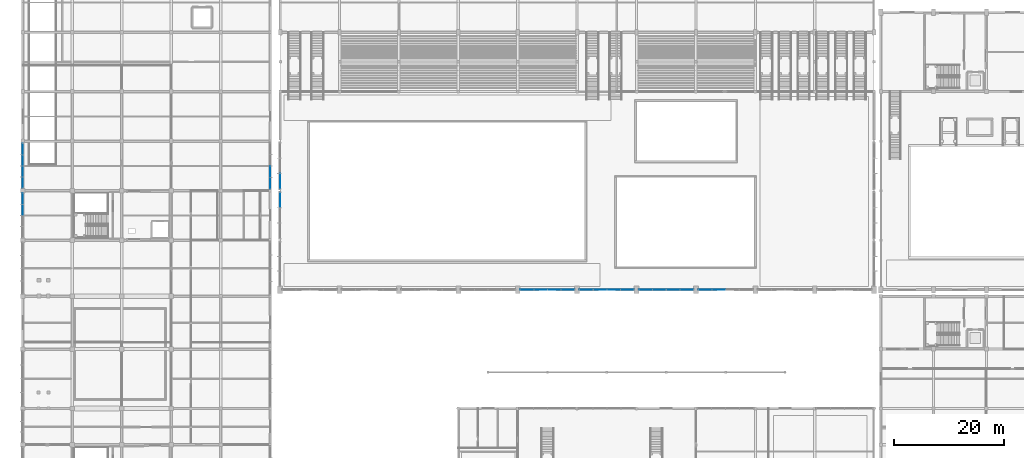
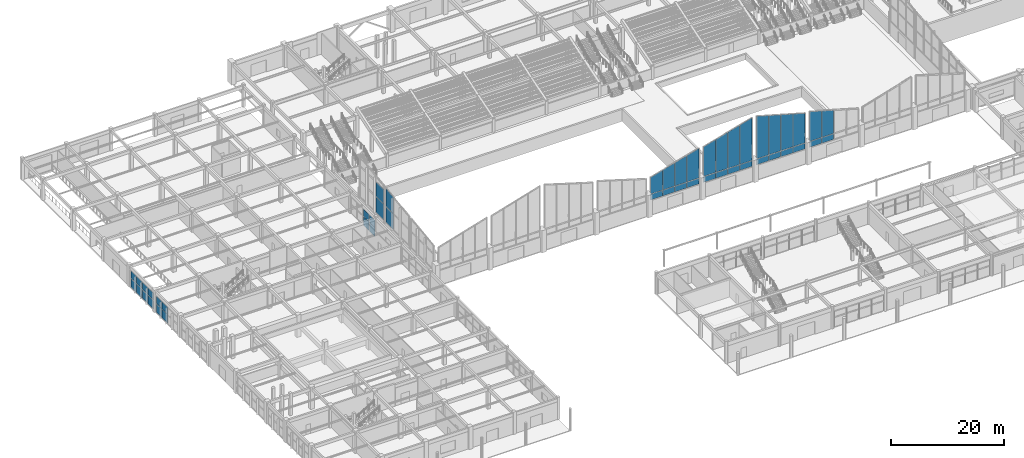
# One storey, part 42 of 82: 48 plates, 9 elements without a shape of their own.
"""IFC4 building model written with IfcOpenShell, lengths in metres."""

from ifc_helpers import new_model, si_unit, direction, frame, origin, place, context, subcontext, project, spatial, polyline, outline, extrude, material, layer, layer_set, type_object, element, aggregate, save


model = new_model("IFC4")

# Units and contexts
model_context = context("Model", 3, precision=1e-05, world=origin(), true_north=direction((0.0, 1.0)))
body_context = subcontext(model_context, "Body", "Model", "MODEL_VIEW")
ifc_project = project(units=[si_unit("LENGTHUNIT", "METRE"), si_unit("AREAUNIT", "SQUARE_METRE"), si_unit("VOLUMEUNIT", "CUBIC_METRE"), si_unit("PLANEANGLEUNIT", "RADIAN"), si_unit("MASSUNIT", "GRAM", prefix="KILO")], contexts=[model_context])

# Site, building, storey
site_placement = place(None, origin())
site = spatial("IfcSite", under=ifc_project, at=site_placement, CompositionType="ELEMENT")
building_placement = place(site_placement, origin())
building = spatial("IfcBuilding", under=site, at=building_placement, Name="Suirenkawa Promenade Aquatics Centre", CompositionType="ELEMENT")
storey_placement = place(building_placement, origin())
storey = spatial("IfcBuildingStorey", under=building, at=storey_placement, Name="L00", CompositionType="ELEMENT", Elevation=0.0)

# Curtain wall, plates
ifc_material_1 = material(Name="Anodised aluminium 6063-T6", Category="aluminium")
curtain_wall_type_1 = type_object("IfcCurtainWallType", Name="CWAT-CLERS-12", PredefinedType="NOTDEFINED", material=ifc_material_1)
curtain_wall_1_placement = place(storey_placement, origin())
curtain_wall_1 = element("IfcCurtainWall", 1, at=curtain_wall_1_placement, inside=storey, type_object=curtain_wall_type_1, Name="Curtain wall CWA-12 CW-019", PredefinedType="NOTDEFINED")
ifc_material_2 = material(Name="Ceramic-fritted low-SHGC double glazing", Category="glass")
ifc_layer_1 = layer(ifc_material_2, 0.031982421875, Name="Ceramic-fritted low-SHGC double glazing", Category="glass")
ifc_layer_set_1 = layer_set([ifc_layer_1], Name="Ceramic-fritted low-SHGC double glazing")
plate_type_1 = type_object("IfcPlateType", Name="CWP-CLER-32", PredefinedType="CURTAIN_PANEL", material=ifc_layer_set_1)
plate_1_placement = place(storey_placement, frame((100.35107421875, 50.39990234375, 3.139892578125), z_axis=(0.0, 0.0, 1.0), x_axis=(-1.0, 0.0, 0.0)))
plate_1 = element("IfcPlate", 2, at=plate_1_placement, type_object=plate_type_1, Name="Glazed panel CP-03 CWP-00416", PredefinedType="CURTAIN_PANEL", context=body_context, shape_type="SweptSolid", body=[
    extrude(outline(polyline([(0.0400390625, 0.0), (2.435546875, 0.0), (2.435546875, 1.22021484375), (0.0400390625, 1.22021484375), (0.0400390625, 0.0)])), frame((0.0, 0.01611328125, 0.0), z_axis=(0.0, -1.0, 0.0), x_axis=(1.0, 0.0, 0.0)), (0.0, 0.0, 1.0), 0.031982421875),
])
plate_2_placement = place(storey_placement, frame((100.35107421875, 50.39990234375, 4.43994140625), z_axis=(0.0, 0.0, 1.0), x_axis=(-1.0, 0.0, 0.0)))
plate_2 = element("IfcPlate", 3, at=plate_2_placement, type_object=plate_type_1, Name="Top glazed panel CP-03 CWP-00417", PredefinedType="CURTAIN_PANEL", context=body_context, shape_type="SweptSolid", body=[
    extrude(outline(polyline([(0.0400390625, 0.0), (2.435546875, 0.0), (2.435546875, 5.670166015625), (0.0400390625, 6.3701171875), (0.0400390625, 0.0)])), frame((0.0, 0.01611328125, 0.0), z_axis=(0.0, -1.0, 0.0), x_axis=(1.0, 0.0, 0.0)), (0.0, 0.0, 1.0), 0.031982421875),
])
plate_3_placement = place(storey_placement, frame((97.87548828125, 50.39990234375, 3.139892578125), z_axis=(0.0, 0.0, 1.0), x_axis=(-1.0, 0.0, 0.0)))
plate_3 = element("IfcPlate", 4, at=plate_3_placement, type_object=plate_type_1, Name="Glazed panel CP-03 CWP-00418", PredefinedType="CURTAIN_PANEL", context=body_context, shape_type="SweptSolid", body=[
    extrude(outline(polyline([(0.0400390625, 0.0), (2.435546875, 0.0), (2.435546875, 1.22021484375), (0.0400390625, 1.22021484375), (0.0400390625, 0.0)])), frame((0.0, 0.01611328125, 0.0), z_axis=(0.0, -1.0, 0.0), x_axis=(1.0, 0.0, 0.0)), (0.0, 0.0, 1.0), 0.031982421875),
])
plate_4_placement = place(storey_placement, frame((97.87548828125, 50.39990234375, 4.43994140625), z_axis=(0.0, 0.0, 1.0), x_axis=(-1.0, 0.0, 0.0)))
plate_4 = element("IfcPlate", 5, at=plate_4_placement, type_object=plate_type_1, Name="Top glazed panel CP-03 CWP-00419", PredefinedType="CURTAIN_PANEL", context=body_context, shape_type="SweptSolid", body=[
    extrude(outline(polyline([(0.0400390625, 0.0), (2.435546875, 0.0), (2.435546875, 4.969970703125), (0.0400390625, 5.670166015625), (0.0400390625, 0.0)])), frame((0.0, 0.01611328125, 0.0), z_axis=(0.0, -1.0, 0.0), x_axis=(1.0, 0.0, 0.0)), (0.0, 0.0, 1.0), 0.031982421875),
])
plate_5_placement = place(storey_placement, frame((95.39990234375, 50.39990234375, 3.139892578125), z_axis=(0.0, 0.0, 1.0), x_axis=(-1.0, 0.0, 0.0)))
plate_5 = element("IfcPlate", 6, at=plate_5_placement, type_object=plate_type_1, Name="Glazed panel CP-03 CWP-00420", PredefinedType="CURTAIN_PANEL", context=body_context, shape_type="SweptSolid", body=[
    extrude(outline(polyline([(0.0400390625, 0.0), (2.435546875, 0.0), (2.435546875, 1.22021484375), (0.0400390625, 1.22021484375), (0.0400390625, 0.0)])), frame((0.0, 0.01611328125, 0.0), z_axis=(0.0, -1.0, 0.0), x_axis=(1.0, 0.0, 0.0)), (0.0, 0.0, 1.0), 0.031982421875),
])
plate_6_placement = place(storey_placement, frame((95.39990234375, 50.39990234375, 4.43994140625), z_axis=(0.0, 0.0, 1.0), x_axis=(-1.0, 0.0, 0.0)))
plate_6 = element("IfcPlate", 7, at=plate_6_placement, type_object=plate_type_1, Name="Top glazed panel CP-03 CWP-00421", PredefinedType="CURTAIN_PANEL", context=body_context, shape_type="SweptSolid", body=[
    extrude(outline(polyline([(0.0400390625, 0.0), (2.435546875, 0.0), (2.435546875, 4.27001953125), (0.0400390625, 4.969970703125), (0.0400390625, 0.0)])), frame((0.0, 0.01611328125, 0.0), z_axis=(0.0, -1.0, 0.0), x_axis=(1.0, 0.0, 0.0)), (0.0, 0.0, 1.0), 0.031982421875),
])
plate_7_placement = place(storey_placement, frame((92.924560546875, 50.39990234375, 3.139892578125), z_axis=(0.0, 0.0, 1.0), x_axis=(-1.0, 0.0, 0.0)))
plate_7 = element("IfcPlate", 8, at=plate_7_placement, type_object=plate_type_1, Name="Glazed panel CP-03 CWP-00422", PredefinedType="CURTAIN_PANEL", context=body_context, shape_type="SweptSolid", body=[
    extrude(outline(polyline([(0.0400390625, 0.0), (2.435546875, 0.0), (2.435546875, 1.22021484375), (0.0400390625, 1.22021484375), (0.0400390625, 0.0)])), frame((0.0, 0.01611328125, 0.0), z_axis=(0.0, -1.0, 0.0), x_axis=(1.0, 0.0, 0.0)), (0.0, 0.0, 1.0), 0.031982421875),
])
plate_8_placement = place(storey_placement, frame((92.924560546875, 50.39990234375, 4.43994140625), z_axis=(0.0, 0.0, 1.0), x_axis=(-1.0, 0.0, 0.0)))
plate_8 = element("IfcPlate", 9, at=plate_8_placement, type_object=plate_type_1, Name="Top glazed panel CP-03 CWP-00423", PredefinedType="CURTAIN_PANEL", context=body_context, shape_type="SweptSolid", body=[
    extrude(outline(polyline([(0.0400390625, 0.0), (2.435546875, 0.0), (2.435546875, 3.570068359375), (0.0400390625, 4.27001953125), (0.0400390625, 0.0)])), frame((0.0, 0.01611328125, 0.0), z_axis=(0.0, -1.0, 0.0), x_axis=(1.0, 0.0, 0.0)), (0.0, 0.0, 1.0), 0.031982421875),
])
aggregate(curtain_wall_1, [plate_1, plate_2, plate_3, plate_4, plate_5, plate_6, plate_7, plate_8])

curtain_wall_type_2 = type_object("IfcCurtainWallType", Name="CWAT-CLERS-14", PredefinedType="NOTDEFINED", material=ifc_material_1)
curtain_wall_2_placement = place(storey_placement, origin())
curtain_wall_2 = element("IfcCurtainWall", 10, at=curtain_wall_2_placement, inside=storey, type_object=curtain_wall_type_2, Name="Curtain wall CWA-14 CW-022", PredefinedType="NOTDEFINED")
plate_9_placement = place(storey_placement, frame((111.15087890625, 50.39990234375, 3.139892578125), z_axis=(0.0, 0.0, 1.0), x_axis=(-1.0, 0.0, 0.0)))
plate_9 = element("IfcPlate", 11, at=plate_9_placement, type_object=plate_type_1, Name="Glazed panel CP-03 CWP-00476", PredefinedType="CURTAIN_PANEL", context=body_context, shape_type="SweptSolid", body=[
    extrude(outline(polyline([(0.0400390625, 0.0), (2.435546875, 0.0), (2.435546875, 1.22021484375), (0.0400390625, 1.22021484375), (0.0400390625, 0.0)])), frame((0.0, 0.01611328125, 0.0), z_axis=(0.0, -1.0, 0.0), x_axis=(1.0, 0.0, 0.0)), (0.0, 0.0, 1.0), 0.031982421875),
])
plate_10_placement = place(storey_placement, frame((111.15087890625, 50.39990234375, 4.43994140625), z_axis=(0.0, 0.0, 1.0), x_axis=(-1.0, 0.0, 0.0)))
plate_10 = element("IfcPlate", 12, at=plate_10_placement, type_object=plate_type_1, Name="Top glazed panel CP-03 CWP-00477", PredefinedType="CURTAIN_PANEL", context=body_context, shape_type="SweptSolid", body=[
    extrude(outline(polyline([(0.0400390625, 0.0), (2.435546875, 0.0), (2.435546875, 8.469970703125), (0.0400390625, 9.170166015625), (0.0400390625, 0.0)])), frame((0.0, 0.01611328125, 0.0), z_axis=(0.0, -1.0, 0.0), x_axis=(1.0, 0.0, 0.0)), (0.0, 0.0, 1.0), 0.031982421875),
])
plate_11_placement = place(storey_placement, frame((108.675537109375, 50.39990234375, 3.139892578125), z_axis=(0.0, 0.0, 1.0), x_axis=(-1.0, 0.0, 0.0)))
plate_11 = element("IfcPlate", 13, at=plate_11_placement, type_object=plate_type_1, Name="Glazed panel CP-03 CWP-00478", PredefinedType="CURTAIN_PANEL", context=body_context, shape_type="SweptSolid", body=[
    extrude(outline(polyline([(0.0400390625, 0.0), (2.435546875, 0.0), (2.435546875, 1.22021484375), (0.0400390625, 1.22021484375), (0.0400390625, 0.0)])), frame((0.0, 0.01611328125, 0.0), z_axis=(0.0, -1.0, 0.0), x_axis=(1.0, 0.0, 0.0)), (0.0, 0.0, 1.0), 0.031982421875),
])
plate_12_placement = place(storey_placement, frame((108.675537109375, 50.39990234375, 4.43994140625), z_axis=(0.0, 0.0, 1.0), x_axis=(-1.0, 0.0, 0.0)))
plate_12 = element("IfcPlate", 14, at=plate_12_placement, type_object=plate_type_1, Name="Top glazed panel CP-03 CWP-00479", PredefinedType="CURTAIN_PANEL", context=body_context, shape_type="SweptSolid", body=[
    extrude(outline(polyline([(0.0400390625, 0.0), (2.435546875, 0.0), (2.435546875, 7.77001953125), (0.0400390625, 8.469970703125), (0.0400390625, 0.0)])), frame((0.0, 0.01611328125, 0.0), z_axis=(0.0, -1.0, 0.0), x_axis=(1.0, 0.0, 0.0)), (0.0, 0.0, 1.0), 0.031982421875),
])
plate_13_placement = place(storey_placement, frame((106.199951171875, 50.39990234375, 3.139892578125), z_axis=(0.0, 0.0, 1.0), x_axis=(-1.0, 0.0, 0.0)))
plate_13 = element("IfcPlate", 15, at=plate_13_placement, type_object=plate_type_1, Name="Glazed panel CP-03 CWP-00480", PredefinedType="CURTAIN_PANEL", context=body_context, shape_type="SweptSolid", body=[
    extrude(outline(polyline([(0.0400390625, 0.0), (2.435546875, 0.0), (2.435546875, 1.22021484375), (0.0400390625, 1.22021484375), (0.0400390625, 0.0)])), frame((0.0, 0.01611328125, 0.0), z_axis=(0.0, -1.0, 0.0), x_axis=(1.0, 0.0, 0.0)), (0.0, 0.0, 1.0), 0.031982421875),
])
plate_14_placement = place(storey_placement, frame((106.199951171875, 50.39990234375, 4.43994140625), z_axis=(0.0, 0.0, 1.0), x_axis=(-1.0, 0.0, 0.0)))
plate_14 = element("IfcPlate", 16, at=plate_14_placement, type_object=plate_type_1, Name="Top glazed panel CP-03 CWP-00481", PredefinedType="CURTAIN_PANEL", context=body_context, shape_type="SweptSolid", body=[
    extrude(outline(polyline([(0.0400390625, 0.0), (2.435546875, 0.0), (2.435546875, 7.070068359375), (0.0400390625, 7.77001953125), (0.0400390625, 0.0)])), frame((0.0, 0.01611328125, 0.0), z_axis=(0.0, -1.0, 0.0), x_axis=(1.0, 0.0, 0.0)), (0.0, 0.0, 1.0), 0.031982421875),
])
plate_15_placement = place(storey_placement, frame((103.724609375, 50.39990234375, 3.139892578125), z_axis=(0.0, 0.0, 1.0), x_axis=(-1.0, 0.0, 0.0)))
plate_15 = element("IfcPlate", 17, at=plate_15_placement, type_object=plate_type_1, Name="Glazed panel CP-03 CWP-00482", PredefinedType="CURTAIN_PANEL", context=body_context, shape_type="SweptSolid", body=[
    extrude(outline(polyline([(0.0400390625, 0.0), (2.435546875, 0.0), (2.435546875, 1.22021484375), (0.0400390625, 1.22021484375), (0.0400390625, 0.0)])), frame((0.0, 0.01611328125, 0.0), z_axis=(0.0, -1.0, 0.0), x_axis=(1.0, 0.0, 0.0)), (0.0, 0.0, 1.0), 0.031982421875),
])
plate_16_placement = place(storey_placement, frame((103.724609375, 50.39990234375, 4.43994140625), z_axis=(0.0, 0.0, 1.0), x_axis=(-1.0, 0.0, 0.0)))
plate_16 = element("IfcPlate", 18, at=plate_16_placement, type_object=plate_type_1, Name="Top glazed panel CP-03 CWP-00483", PredefinedType="CURTAIN_PANEL", context=body_context, shape_type="SweptSolid", body=[
    extrude(outline(polyline([(0.0400390625, 0.0), (2.435546875, 0.0), (2.435546875, 6.3701171875), (0.0400390625, 7.070068359375), (0.0400390625, 0.0)])), frame((0.0, 0.01611328125, 0.0), z_axis=(0.0, -1.0, 0.0), x_axis=(1.0, 0.0, 0.0)), (0.0, 0.0, 1.0), 0.031982421875),
])
aggregate(curtain_wall_2, [plate_9, plate_10, plate_11, plate_12, plate_13, plate_14, plate_15, plate_16])

curtain_wall_3_placement = place(storey_placement, origin())
curtain_wall_3 = element("IfcCurtainWall", 19, at=curtain_wall_3_placement, inside=storey, type_object=curtain_wall_type_2, Name="Curtain wall CWA-14 CW-025", PredefinedType="NOTDEFINED")
plate_17_placement = place(storey_placement, frame((121.950927734375, 50.39990234375, 3.139892578125), z_axis=(0.0, 0.0, 1.0), x_axis=(-1.0, 0.0, 0.0)))
plate_17 = element("IfcPlate", 20, at=plate_17_placement, type_object=plate_type_1, Name="Glazed panel CP-03 CWP-00536", PredefinedType="CURTAIN_PANEL", context=body_context, shape_type="SweptSolid", body=[
    extrude(outline(polyline([(0.0400390625, 0.0), (2.435546875, 0.0), (2.435546875, 1.22021484375), (0.0400390625, 1.22021484375), (0.0400390625, 0.0)])), frame((0.0, 0.01611328125, 0.0), z_axis=(0.0, -1.0, 0.0), x_axis=(1.0, 0.0, 0.0)), (0.0, 0.0, 1.0), 0.031982421875),
])
plate_18_placement = place(storey_placement, frame((121.950927734375, 50.39990234375, 4.43994140625), z_axis=(0.0, 0.0, 1.0), x_axis=(-1.0, 0.0, 0.0)))
plate_18 = element("IfcPlate", 21, at=plate_18_placement, type_object=plate_type_1, Name="Top glazed panel CP-03 CWP-00537", PredefinedType="CURTAIN_PANEL", context=body_context, shape_type="SweptSolid", body=[
    extrude(outline(polyline([(0.0400390625, 0.0), (2.435546875, 0.0), (2.435546875, 7.070068359375), (0.0400390625, 6.3701171875), (0.0400390625, 0.0)])), frame((0.0, 0.01611328125, 0.0), z_axis=(0.0, -1.0, 0.0), x_axis=(1.0, 0.0, 0.0)), (0.0, 0.0, 1.0), 0.031982421875),
])
plate_19_placement = place(storey_placement, frame((119.4755859375, 50.39990234375, 3.139892578125), z_axis=(0.0, 0.0, 1.0), x_axis=(-1.0, 0.0, 0.0)))
plate_19 = element("IfcPlate", 22, at=plate_19_placement, type_object=plate_type_1, Name="Glazed panel CP-03 CWP-00538", PredefinedType="CURTAIN_PANEL", context=body_context, shape_type="SweptSolid", body=[
    extrude(outline(polyline([(0.0400390625, 0.0), (2.435546875, 0.0), (2.435546875, 1.22021484375), (0.0400390625, 1.22021484375), (0.0400390625, 0.0)])), frame((0.0, 0.01611328125, 0.0), z_axis=(0.0, -1.0, 0.0), x_axis=(1.0, 0.0, 0.0)), (0.0, 0.0, 1.0), 0.031982421875),
])
plate_20_placement = place(storey_placement, frame((119.4755859375, 50.39990234375, 4.43994140625), z_axis=(0.0, 0.0, 1.0), x_axis=(-1.0, 0.0, 0.0)))
plate_20 = element("IfcPlate", 23, at=plate_20_placement, type_object=plate_type_1, Name="Top glazed panel CP-03 CWP-00539", PredefinedType="CURTAIN_PANEL", context=body_context, shape_type="SweptSolid", body=[
    extrude(outline(polyline([(0.0400390625, 0.0), (2.435546875, 0.0), (2.435546875, 7.77001953125), (0.0400390625, 7.070068359375), (0.0400390625, 0.0)])), frame((0.0, 0.01611328125, 0.0), z_axis=(0.0, -1.0, 0.0), x_axis=(1.0, 0.0, 0.0)), (0.0, 0.0, 1.0), 0.031982421875),
])
plate_21_placement = place(storey_placement, frame((117.0, 50.39990234375, 3.139892578125), z_axis=(0.0, 0.0, 1.0), x_axis=(-1.0, 0.0, 0.0)))
plate_21 = element("IfcPlate", 24, at=plate_21_placement, type_object=plate_type_1, Name="Glazed panel CP-03 CWP-00540", PredefinedType="CURTAIN_PANEL", context=body_context, shape_type="SweptSolid", body=[
    extrude(outline(polyline([(0.0400390625, 0.0), (2.435546875, 0.0), (2.435546875, 1.22021484375), (0.0400390625, 1.22021484375), (0.0400390625, 0.0)])), frame((0.0, 0.01611328125, 0.0), z_axis=(0.0, -1.0, 0.0), x_axis=(1.0, 0.0, 0.0)), (0.0, 0.0, 1.0), 0.031982421875),
])
plate_22_placement = place(storey_placement, frame((117.0, 50.39990234375, 4.43994140625), z_axis=(0.0, 0.0, 1.0), x_axis=(-1.0, 0.0, 0.0)))
plate_22 = element("IfcPlate", 25, at=plate_22_placement, type_object=plate_type_1, Name="Top glazed panel CP-03 CWP-00541", PredefinedType="CURTAIN_PANEL", context=body_context, shape_type="SweptSolid", body=[
    extrude(outline(polyline([(0.0400390625, 0.0), (2.435546875, 0.0), (2.435546875, 8.469970703125), (0.0400390625, 7.77001953125), (0.0400390625, 0.0)])), frame((0.0, 0.01611328125, 0.0), z_axis=(0.0, -1.0, 0.0), x_axis=(1.0, 0.0, 0.0)), (0.0, 0.0, 1.0), 0.031982421875),
])
plate_23_placement = place(storey_placement, frame((114.5244140625, 50.39990234375, 3.139892578125), z_axis=(0.0, 0.0, 1.0), x_axis=(-1.0, 0.0, 0.0)))
plate_23 = element("IfcPlate", 26, at=plate_23_placement, type_object=plate_type_1, Name="Glazed panel CP-03 CWP-00542", PredefinedType="CURTAIN_PANEL", context=body_context, shape_type="SweptSolid", body=[
    extrude(outline(polyline([(0.0400390625, 0.0), (2.435546875, 0.0), (2.435546875, 1.22021484375), (0.0400390625, 1.22021484375), (0.0400390625, 0.0)])), frame((0.0, 0.01611328125, 0.0), z_axis=(0.0, -1.0, 0.0), x_axis=(1.0, 0.0, 0.0)), (0.0, 0.0, 1.0), 0.031982421875),
])
plate_24_placement = place(storey_placement, frame((114.5244140625, 50.39990234375, 4.43994140625), z_axis=(0.0, 0.0, 1.0), x_axis=(-1.0, 0.0, 0.0)))
plate_24 = element("IfcPlate", 27, at=plate_24_placement, type_object=plate_type_1, Name="Top glazed panel CP-03 CWP-00543", PredefinedType="CURTAIN_PANEL", context=body_context, shape_type="SweptSolid", body=[
    extrude(outline(polyline([(0.0400390625, 0.0), (2.435546875, 0.0), (2.435546875, 9.170166015625), (0.0400390625, 8.469970703125), (0.0400390625, 0.0)])), frame((0.0, 0.01611328125, 0.0), z_axis=(0.0, -1.0, 0.0), x_axis=(1.0, 0.0, 0.0)), (0.0, 0.0, 1.0), 0.031982421875),
])
aggregate(curtain_wall_3, [plate_17, plate_18, plate_19, plate_20, plate_21, plate_22, plate_23, plate_24])

curtain_wall_4_placement = place(storey_placement, origin())
curtain_wall_4 = element("IfcCurtainWall", 28, at=curtain_wall_4_placement, inside=storey, type_object=curtain_wall_type_1, Name="Curtain wall CWA-12 CW-028", PredefinedType="NOTDEFINED")
plate_25_placement = place(storey_placement, frame((127.800048828125, 50.39990234375, 3.139892578125), z_axis=(0.0, 0.0, 1.0), x_axis=(-1.0, 0.0, 0.0)))
plate_25 = element("IfcPlate", 29, at=plate_25_placement, type_object=plate_type_1, Name="Glazed panel CP-03 CWP-00600", PredefinedType="CURTAIN_PANEL", context=body_context, shape_type="SweptSolid", body=[
    extrude(outline(polyline([(0.0400390625, 0.0), (2.435546875, 0.0), (2.435546875, 1.22021484375), (0.0400390625, 1.22021484375), (0.0400390625, 0.0)])), frame((0.0, 0.01611328125, 0.0), z_axis=(0.0, -1.0, 0.0), x_axis=(1.0, 0.0, 0.0)), (0.0, 0.0, 1.0), 0.031982421875),
])
plate_26_placement = place(storey_placement, frame((127.800048828125, 50.39990234375, 4.43994140625), z_axis=(0.0, 0.0, 1.0), x_axis=(-1.0, 0.0, 0.0)))
plate_26 = element("IfcPlate", 30, at=plate_26_placement, type_object=plate_type_1, Name="Top glazed panel CP-03 CWP-00601", PredefinedType="CURTAIN_PANEL", context=body_context, shape_type="SweptSolid", body=[
    extrude(outline(polyline([(0.0400390625, 0.0), (2.435546875, 0.0), (2.435546875, 5.670166015625), (0.0400390625, 4.969970703125), (0.0400390625, 0.0)])), frame((0.0, 0.01611328125, 0.0), z_axis=(0.0, -1.0, 0.0), x_axis=(1.0, 0.0, 0.0)), (0.0, 0.0, 1.0), 0.031982421875),
])
plate_27_placement = place(storey_placement, frame((125.324462890625, 50.39990234375, 3.139892578125), z_axis=(0.0, 0.0, 1.0), x_axis=(-1.0, 0.0, 0.0)))
plate_27 = element("IfcPlate", 31, at=plate_27_placement, type_object=plate_type_1, Name="Glazed panel CP-03 CWP-00602", PredefinedType="CURTAIN_PANEL", context=body_context, shape_type="SweptSolid", body=[
    extrude(outline(polyline([(0.0400390625, 0.0), (2.435546875, 0.0), (2.435546875, 1.22021484375), (0.0400390625, 1.22021484375), (0.0400390625, 0.0)])), frame((0.0, 0.01611328125, 0.0), z_axis=(0.0, -1.0, 0.0), x_axis=(1.0, 0.0, 0.0)), (0.0, 0.0, 1.0), 0.031982421875),
])
plate_28_placement = place(storey_placement, frame((125.324462890625, 50.39990234375, 4.43994140625), z_axis=(0.0, 0.0, 1.0), x_axis=(-1.0, 0.0, 0.0)))
plate_28 = element("IfcPlate", 32, at=plate_28_placement, type_object=plate_type_1, Name="Top glazed panel CP-03 CWP-00603", PredefinedType="CURTAIN_PANEL", context=body_context, shape_type="SweptSolid", body=[
    extrude(outline(polyline([(0.0400390625, 0.0), (2.435546875, 0.0), (2.435546875, 6.3701171875), (0.0400390625, 5.670166015625), (0.0400390625, 0.0)])), frame((0.0, 0.01611328125, 0.0), z_axis=(0.0, -1.0, 0.0), x_axis=(1.0, 0.0, 0.0)), (0.0, 0.0, 1.0), 0.031982421875),
])
aggregate(curtain_wall_4, [plate_25, plate_26, plate_27, plate_28])

curtain_wall_type_3 = type_object("IfcCurtainWallType", Name="CWAT-V5EL00-43", PredefinedType="NOTDEFINED", material=ifc_material_1)
curtain_wall_5_placement = place(storey_placement, origin())
curtain_wall_5 = element("IfcCurtainWall", 33, at=curtain_wall_5_placement, inside=storey, type_object=curtain_wall_type_3, Name="Curtain wall CWA-43 CW-094", PredefinedType="NOTDEFINED")
ifc_material_3 = material(Name="Low-E thermally broken double glazing", Category="glass")
ifc_layer_2 = layer(ifc_material_3, 0.028076171875, Name="Low-E thermally broken double glazing", Category="glass")
ifc_layer_set_2 = layer_set([ifc_layer_2], Name="Low-E thermally broken double glazing")
plate_type_2 = type_object("IfcPlateType", Name="CWP-LOWE-28", PredefinedType="CURTAIN_PANEL", material=ifc_layer_set_2)
plate_29_placement = place(storey_placement, frame((45.0, 72.89990234375, 0.0400390625), z_axis=(0.0, 0.0, 1.0), x_axis=(0.0, -1.0, 0.0)))
plate_29 = element("IfcPlate", 34, at=plate_29_placement, type_object=plate_type_2, Name="Glazed panel CP-02 CWP-01880", PredefinedType="CURTAIN_PANEL", context=body_context, shape_type="SweptSolid", body=[
    extrude(outline(polyline([(0.0400390625, 0.0), (2.060546875, 0.0), (2.060546875, 1.869873046875), (0.0400390625, 1.869873046875), (0.0400390625, 0.0)])), frame((0.0, 0.01416015625, 0.0), z_axis=(0.0, -1.0, 0.0), x_axis=(1.0, 0.0, 0.0)), (0.0, 0.0, 1.0), 0.028076171875),
])
plate_30_placement = place(storey_placement, frame((45.0, 72.89990234375, 1.989990234375), z_axis=(0.0, 0.0, 1.0), x_axis=(0.0, -1.0, 0.0)))
plate_30 = element("IfcPlate", 35, at=plate_30_placement, type_object=plate_type_2, Name="Top glazed panel CP-02 CWP-01881", PredefinedType="CURTAIN_PANEL", context=body_context, shape_type="SweptSolid", body=[
    extrude(outline(polyline([(0.0400390625, 0.0), (2.060546875, 0.0), (2.060546875, 1.5400390625), (0.0400390625, 1.5400390625), (0.0400390625, 0.0)])), frame((0.0, 0.01416015625, 0.0), z_axis=(0.0, -1.0, 0.0), x_axis=(1.0, 0.0, 0.0)), (0.0, 0.0, 1.0), 0.028076171875),
])
plate_31_placement = place(storey_placement, frame((45.0, 70.799560546875, 0.0400390625), z_axis=(0.0, 0.0, 1.0), x_axis=(0.0, -1.0, 0.0)))
plate_31 = element("IfcPlate", 36, at=plate_31_placement, type_object=plate_type_2, Name="Glazed panel CP-02 CWP-01882", PredefinedType="CURTAIN_PANEL", context=body_context, shape_type="SweptSolid", body=[
    extrude(outline(polyline([(0.0400390625, 0.0), (2.060546875, 0.0), (2.060546875, 1.869873046875), (0.0400390625, 1.869873046875), (0.0400390625, 0.0)])), frame((0.0, 0.01416015625, 0.0), z_axis=(0.0, -1.0, 0.0), x_axis=(1.0, 0.0, 0.0)), (0.0, 0.0, 1.0), 0.028076171875),
])
plate_32_placement = place(storey_placement, frame((45.0, 70.799560546875, 1.989990234375), z_axis=(0.0, 0.0, 1.0), x_axis=(0.0, -1.0, 0.0)))
plate_32 = element("IfcPlate", 37, at=plate_32_placement, type_object=plate_type_2, Name="Top glazed panel CP-02 CWP-01883", PredefinedType="CURTAIN_PANEL", context=body_context, shape_type="SweptSolid", body=[
    extrude(outline(polyline([(0.0400390625, 0.0), (2.060546875, 0.0), (2.060546875, 1.5400390625), (0.0400390625, 1.5400390625), (0.0400390625, 0.0)])), frame((0.0, 0.01416015625, 0.0), z_axis=(0.0, -1.0, 0.0), x_axis=(1.0, 0.0, 0.0)), (0.0, 0.0, 1.0), 0.028076171875),
])
aggregate(curtain_wall_5, [plate_29, plate_30, plate_31, plate_32])

curtain_wall_type_4 = type_object("IfcCurtainWallType", Name="CWAT-GABLEV1-02", PredefinedType="NOTDEFINED", material=ifc_material_1)
curtain_wall_6_placement = place(storey_placement, origin())
curtain_wall_6 = element("IfcCurtainWall", 38, at=curtain_wall_6_placement, inside=storey, type_object=curtain_wall_type_4, Name="Curtain wall CWA-02 CW-002", PredefinedType="NOTDEFINED")
ifc_layer_3 = layer(ifc_material_2, 0.035888671875, Name="Ceramic-fritted low-SHGC double glazing", Category="glass")
ifc_layer_set_3 = layer_set([ifc_layer_3], Name="Ceramic-fritted low-SHGC double glazing")
plate_type_3 = type_object("IfcPlateType", Name="CWP-SHOJI-36", PredefinedType="CURTAIN_PANEL", material=ifc_layer_set_3)
plate_33_placement = place(storey_placement, frame((46.800048828125, 65.30029296875, 2.989990234375), z_axis=(0.0, 0.0, 1.0), x_axis=(0.0, 1.0, 0.0)))
plate_33 = element("IfcPlate", 39, at=plate_33_placement, type_object=plate_type_3, Name="Glazed panel CP-01 CWP-00033", PredefinedType="CURTAIN_PANEL", context=body_context, shape_type="SweptSolid", body=[
    extrude(outline(polyline([(0.0400390625, 0.0), (2.7607421875, 0.0), (2.7607421875, 3.3701171875), (0.0400390625, 3.3701171875), (0.0400390625, 0.0)])), frame((0.0, 0.01806640625, 0.0), z_axis=(0.0, -1.0, 0.0), x_axis=(1.0, 0.0, 0.0)), (0.0, 0.0, 1.0), 0.035888671875),
])
plate_34_placement = place(storey_placement, frame((46.800048828125, 65.30029296875, 6.43994140625), z_axis=(0.0, 0.0, 1.0), x_axis=(0.0, 1.0, 0.0)))
plate_34 = element("IfcPlate", 40, at=plate_34_placement, type_object=plate_type_3, Name="Top glazed panel CP-01 CWP-00034", PredefinedType="CURTAIN_PANEL", context=body_context, shape_type="SweptSolid", body=[
    extrude(outline(polyline([(0.0400390625, 0.0), (2.7607421875, 0.0), (2.7607421875, 3.8515625), (0.0400390625, 3.490478515625), (0.0400390625, 0.0)])), frame((0.0, 0.01806640625, 0.0), z_axis=(0.0, -1.0, 0.0), x_axis=(1.0, 0.0, 0.0)), (0.0, 0.0, 1.0), 0.035888671875),
])
aggregate(curtain_wall_6, [plate_33, plate_34])

curtain_wall_type_5 = type_object("IfcCurtainWallType", Name="CWAT-GABLEV1-03", PredefinedType="NOTDEFINED", material=ifc_material_1)
curtain_wall_7_placement = place(storey_placement, origin())
curtain_wall_7 = element("IfcCurtainWall", 41, at=curtain_wall_7_placement, inside=storey, type_object=curtain_wall_type_5, Name="Curtain wall CWA-03 CW-003", PredefinedType="NOTDEFINED")
plate_35_placement = place(storey_placement, frame((46.800048828125, 68.698974609375, 2.989990234375), z_axis=(0.0, 0.0, 1.0), x_axis=(0.0, 1.0, 0.0)))
plate_35 = element("IfcPlate", 42, at=plate_35_placement, type_object=plate_type_3, Name="Glazed panel CP-01 CWP-00049", PredefinedType="CURTAIN_PANEL", context=body_context, shape_type="SweptSolid", body=[
    extrude(outline(polyline([(0.0400390625, 0.0), (2.7607421875, 0.0), (2.7607421875, 3.3701171875), (0.0400390625, 3.3701171875), (0.0400390625, 0.0)])), frame((0.0, 0.01806640625, 0.0), z_axis=(0.0, -1.0, 0.0), x_axis=(1.0, 0.0, 0.0)), (0.0, 0.0, 1.0), 0.035888671875),
])
plate_36_placement = place(storey_placement, frame((46.800048828125, 68.698974609375, 6.43994140625), z_axis=(0.0, 0.0, 1.0), x_axis=(0.0, 1.0, 0.0)))
plate_36 = element("IfcPlate", 43, at=plate_36_placement, type_object=plate_type_3, Name="Glazed panel CP-01 CWP-00050", PredefinedType="CURTAIN_PANEL", context=body_context, shape_type="SweptSolid", body=[
    extrude(outline(polyline([(0.0400390625, 0.0), (2.7607421875, 0.0), (2.7607421875, 3.1201171875), (0.0400390625, 3.1201171875), (0.0400390625, 0.0)])), frame((0.0, 0.01806640625, 0.0), z_axis=(0.0, -1.0, 0.0), x_axis=(1.0, 0.0, 0.0)), (0.0, 0.0, 1.0), 0.035888671875),
])
aggregate(curtain_wall_7, [plate_35, plate_36])

curtain_wall_type_6 = type_object("IfcCurtainWallType", Name="CWAT-V5WL00-42", PredefinedType="NOTDEFINED", material=ifc_material_1)
curtain_wall_8_placement = place(storey_placement, origin())
curtain_wall_8 = element("IfcCurtainWall", 44, at=curtain_wall_8_placement, inside=storey, type_object=curtain_wall_type_6, Name="Curtain wall CWA-42 CW-092", PredefinedType="NOTDEFINED")
plate_37_placement = place(storey_placement, frame((0.0, 63.89990234375, 0.0400390625), z_axis=(0.0, 0.0, 1.0), x_axis=(0.0, 1.0, 0.0)))
plate_37 = element("IfcPlate", 45, at=plate_37_placement, type_object=plate_type_3, Name="Glazed panel CP-01 CWP-01836", PredefinedType="CURTAIN_PANEL", context=body_context, shape_type="SweptSolid", body=[
    extrude(outline(polyline([(0.0400390625, 0.0), (1.985595703125, 0.0), (1.985595703125, 1.869873046875), (0.0400390625, 1.869873046875), (0.0400390625, 0.0)])), frame((0.0, 0.01806640625, 0.0), z_axis=(0.0, -1.0, 0.0), x_axis=(1.0, 0.0, 0.0)), (0.0, 0.0, 1.0), 0.035888671875),
])
plate_38_placement = place(storey_placement, frame((0.0, 63.89990234375, 1.989990234375), z_axis=(0.0, 0.0, 1.0), x_axis=(0.0, 1.0, 0.0)))
plate_38 = element("IfcPlate", 46, at=plate_38_placement, type_object=plate_type_3, Name="Top glazed panel CP-01 CWP-01837", PredefinedType="CURTAIN_PANEL", context=body_context, shape_type="SweptSolid", body=[
    extrude(outline(polyline([(0.0400390625, 0.0), (1.985595703125, 0.0), (1.985595703125, 1.5400390625), (0.0400390625, 1.5400390625), (0.0400390625, 0.0)])), frame((0.0, 0.01806640625, 0.0), z_axis=(0.0, -1.0, 0.0), x_axis=(1.0, 0.0, 0.0)), (0.0, 0.0, 1.0), 0.035888671875),
])
plate_39_placement = place(storey_placement, frame((0.0, 65.925537109375, 0.0400390625), z_axis=(0.0, 0.0, 1.0), x_axis=(0.0, 1.0, 0.0)))
plate_39 = element("IfcPlate", 47, at=plate_39_placement, type_object=plate_type_3, Name="Glazed panel CP-01 CWP-01838", PredefinedType="CURTAIN_PANEL", context=body_context, shape_type="SweptSolid", body=[
    extrude(outline(polyline([(0.0400390625, 0.0), (1.985595703125, 0.0), (1.985595703125, 1.869873046875), (0.0400390625, 1.869873046875), (0.0400390625, 0.0)])), frame((0.0, 0.01806640625, 0.0), z_axis=(0.0, -1.0, 0.0), x_axis=(1.0, 0.0, 0.0)), (0.0, 0.0, 1.0), 0.035888671875),
])
plate_40_placement = place(storey_placement, frame((0.0, 65.925537109375, 1.989990234375), z_axis=(0.0, 0.0, 1.0), x_axis=(0.0, 1.0, 0.0)))
plate_40 = element("IfcPlate", 48, at=plate_40_placement, type_object=plate_type_3, Name="Top glazed panel CP-01 CWP-01839", PredefinedType="CURTAIN_PANEL", context=body_context, shape_type="SweptSolid", body=[
    extrude(outline(polyline([(0.0400390625, 0.0), (1.985595703125, 0.0), (1.985595703125, 1.5400390625), (0.0400390625, 1.5400390625), (0.0400390625, 0.0)])), frame((0.0, 0.01806640625, 0.0), z_axis=(0.0, -1.0, 0.0), x_axis=(1.0, 0.0, 0.0)), (0.0, 0.0, 1.0), 0.035888671875),
])
aggregate(curtain_wall_8, [plate_37, plate_38, plate_39, plate_40])

curtain_wall_9_placement = place(storey_placement, origin())
curtain_wall_9 = element("IfcCurtainWall", 49, at=curtain_wall_9_placement, inside=storey, type_object=curtain_wall_type_6, Name="Curtain wall CWA-42 CW-093", PredefinedType="NOTDEFINED")
plate_41_placement = place(storey_placement, frame((0.0, 68.84912109375, 0.0400390625), z_axis=(0.0, 0.0, 1.0), x_axis=(0.0, 1.0, 0.0)))
plate_41 = element("IfcPlate", 50, at=plate_41_placement, type_object=plate_type_3, Name="Glazed panel CP-01 CWP-01854", PredefinedType="CURTAIN_PANEL", context=body_context, shape_type="SweptSolid", body=[
    extrude(outline(polyline([(0.0400390625, 0.0), (1.985595703125, 0.0), (1.985595703125, 1.869873046875), (0.0400390625, 1.869873046875), (0.0400390625, 0.0)])), frame((0.0, 0.01806640625, 0.0), z_axis=(0.0, -1.0, 0.0), x_axis=(1.0, 0.0, 0.0)), (0.0, 0.0, 1.0), 0.035888671875),
])
plate_42_placement = place(storey_placement, frame((0.0, 68.84912109375, 1.989990234375), z_axis=(0.0, 0.0, 1.0), x_axis=(0.0, 1.0, 0.0)))
plate_42 = element("IfcPlate", 51, at=plate_42_placement, type_object=plate_type_3, Name="Top glazed panel CP-01 CWP-01855", PredefinedType="CURTAIN_PANEL", context=body_context, shape_type="SweptSolid", body=[
    extrude(outline(polyline([(0.0400390625, 0.0), (1.985595703125, 0.0), (1.985595703125, 1.5400390625), (0.0400390625, 1.5400390625), (0.0400390625, 0.0)])), frame((0.0, 0.01806640625, 0.0), z_axis=(0.0, -1.0, 0.0), x_axis=(1.0, 0.0, 0.0)), (0.0, 0.0, 1.0), 0.035888671875),
])
plate_43_placement = place(storey_placement, frame((0.0, 70.87451171875, 0.0400390625), z_axis=(0.0, 0.0, 1.0), x_axis=(0.0, 1.0, 0.0)))
plate_43 = element("IfcPlate", 52, at=plate_43_placement, type_object=plate_type_3, Name="Glazed panel CP-01 CWP-01856", PredefinedType="CURTAIN_PANEL", context=body_context, shape_type="SweptSolid", body=[
    extrude(outline(polyline([(0.0400390625, 0.0), (1.985595703125, 0.0), (1.985595703125, 1.869873046875), (0.0400390625, 1.869873046875), (0.0400390625, 0.0)])), frame((0.0, 0.01806640625, 0.0), z_axis=(0.0, -1.0, 0.0), x_axis=(1.0, 0.0, 0.0)), (0.0, 0.0, 1.0), 0.035888671875),
])
plate_44_placement = place(storey_placement, frame((0.0, 70.87451171875, 1.989990234375), z_axis=(0.0, 0.0, 1.0), x_axis=(0.0, 1.0, 0.0)))
plate_44 = element("IfcPlate", 53, at=plate_44_placement, type_object=plate_type_3, Name="Top glazed panel CP-01 CWP-01857", PredefinedType="CURTAIN_PANEL", context=body_context, shape_type="SweptSolid", body=[
    extrude(outline(polyline([(0.0400390625, 0.0), (1.985595703125, 0.0), (1.985595703125, 1.5400390625), (0.0400390625, 1.5400390625), (0.0400390625, 0.0)])), frame((0.0, 0.01806640625, 0.0), z_axis=(0.0, -1.0, 0.0), x_axis=(1.0, 0.0, 0.0)), (0.0, 0.0, 1.0), 0.035888671875),
])
plate_45_placement = place(storey_placement, frame((0.0, 72.89990234375, 0.0400390625), z_axis=(0.0, 0.0, 1.0), x_axis=(0.0, 1.0, 0.0)))
plate_45 = element("IfcPlate", 54, at=plate_45_placement, type_object=plate_type_3, Name="Glazed panel CP-01 CWP-01858", PredefinedType="CURTAIN_PANEL", context=body_context, shape_type="SweptSolid", body=[
    extrude(outline(polyline([(0.0400390625, 0.0), (1.985595703125, 0.0), (1.985595703125, 1.869873046875), (0.0400390625, 1.869873046875), (0.0400390625, 0.0)])), frame((0.0, 0.01806640625, 0.0), z_axis=(0.0, -1.0, 0.0), x_axis=(1.0, 0.0, 0.0)), (0.0, 0.0, 1.0), 0.035888671875),
])
plate_46_placement = place(storey_placement, frame((0.0, 72.89990234375, 1.989990234375), z_axis=(0.0, 0.0, 1.0), x_axis=(0.0, 1.0, 0.0)))
plate_46 = element("IfcPlate", 55, at=plate_46_placement, type_object=plate_type_3, Name="Top glazed panel CP-01 CWP-01859", PredefinedType="CURTAIN_PANEL", context=body_context, shape_type="SweptSolid", body=[
    extrude(outline(polyline([(0.0400390625, 0.0), (1.985595703125, 0.0), (1.985595703125, 1.5400390625), (0.0400390625, 1.5400390625), (0.0400390625, 0.0)])), frame((0.0, 0.01806640625, 0.0), z_axis=(0.0, -1.0, 0.0), x_axis=(1.0, 0.0, 0.0)), (0.0, 0.0, 1.0), 0.035888671875),
])
plate_47_placement = place(storey_placement, frame((0.0, 74.925537109375, 0.0400390625), z_axis=(0.0, 0.0, 1.0), x_axis=(0.0, 1.0, 0.0)))
plate_47 = element("IfcPlate", 56, at=plate_47_placement, type_object=plate_type_3, Name="Glazed panel CP-01 CWP-01860", PredefinedType="CURTAIN_PANEL", context=body_context, shape_type="SweptSolid", body=[
    extrude(outline(polyline([(0.0400390625, 0.0), (1.985595703125, 0.0), (1.985595703125, 1.869873046875), (0.0400390625, 1.869873046875), (0.0400390625, 0.0)])), frame((0.0, 0.01806640625, 0.0), z_axis=(0.0, -1.0, 0.0), x_axis=(1.0, 0.0, 0.0)), (0.0, 0.0, 1.0), 0.035888671875),
])
plate_48_placement = place(storey_placement, frame((0.0, 74.925537109375, 1.989990234375), z_axis=(0.0, 0.0, 1.0), x_axis=(0.0, 1.0, 0.0)))
plate_48 = element("IfcPlate", 57, at=plate_48_placement, type_object=plate_type_3, Name="Top glazed panel CP-01 CWP-01861", PredefinedType="CURTAIN_PANEL", context=body_context, shape_type="SweptSolid", body=[
    extrude(outline(polyline([(0.0400390625, 0.0), (1.985595703125, 0.0), (1.985595703125, 1.5400390625), (0.0400390625, 1.5400390625), (0.0400390625, 0.0)])), frame((0.0, 0.01806640625, 0.0), z_axis=(0.0, -1.0, 0.0), x_axis=(1.0, 0.0, 0.0)), (0.0, 0.0, 1.0), 0.035888671875),
])
aggregate(curtain_wall_9, [plate_41, plate_42, plate_43, plate_44, plate_45, plate_46, plate_47, plate_48])

save(model, "model.ifc")
